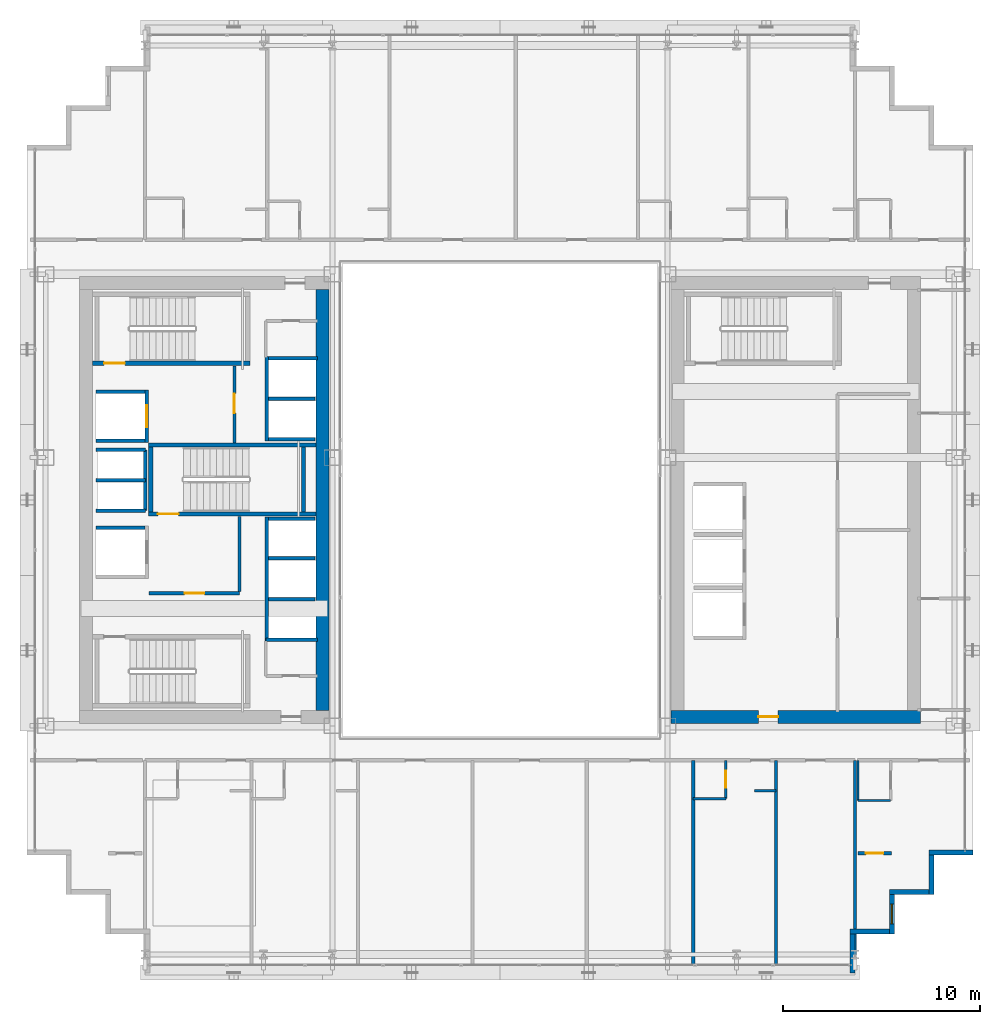
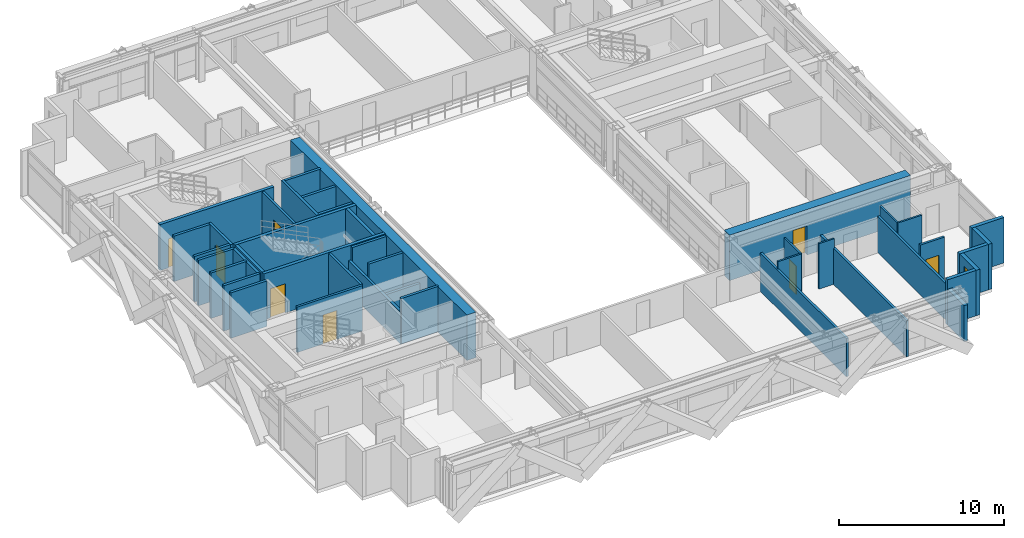
# One storey, part 32 of 39: 42 walls, 8 doors, 1 window, 9 openings.
"""IFC4 building model written with IfcOpenShell, lengths in metres."""

from ifc_helpers import new_model, si_unit, direction, frame, frame_2d, origin, place, context, subcontext, project, spatial, rectangle, extrude, source, transform, mapped, material, layer, layer_set, type_object, element, fill, save


model = new_model("IFC4")

# Units and contexts
model_context = context("Model", 3, precision=1e-05, world=origin(), true_north=direction((0.0, 1.0)))
body_context = subcontext(model_context, "Body", "Model", "MODEL_VIEW")
ifc_project = project(units=[si_unit("LENGTHUNIT", "METRE"), si_unit("AREAUNIT", "SQUARE_METRE"), si_unit("VOLUMEUNIT", "CUBIC_METRE"), si_unit("PLANEANGLEUNIT", "RADIAN"), si_unit("MASSUNIT", "GRAM", prefix="KILO")], contexts=[model_context])

# Site, building, storey
site_placement = place(None, origin())
site = spatial("IfcSite", under=ifc_project, at=site_placement, CompositionType="ELEMENT")
building_placement = place(site_placement, origin())
building = spatial("IfcBuilding", under=site, at=building_placement, Name="Ocotamira Hotel", CompositionType="ELEMENT")
storey_placement = place(building_placement, frame((0.0, 0.0, 126.0)))
storey = spatial("IfcBuildingStorey", under=building, at=storey_placement, Name="L31", CompositionType="ELEMENT", Elevation=126.0)

# Wall
ifc_material_1 = material(Name="Concrete C60/75", Category="concrete")
ifc_layer_1 = layer(ifc_material_1, 0.64990234375)
ifc_layer_set_1 = layer_set([ifc_layer_1], Name="Concrete C60/75")
wall_type_1 = type_object("IfcWallType", Name="WL-CORE-650", PredefinedType="SHEAR", material=ifc_layer_set_1)
wall_1_placement = place(storey_placement, frame((23.0, 15.324951171875, 0.0), z_axis=(0.0, 0.0, 1.0), x_axis=(0.0, 1.0, 0.0)))
element("IfcWall", 1, at=wall_1_placement, inside=storey, type_object=wall_type_1, Name="L31 Shear Core Wall WCORE-E", PredefinedType="SHEAR", context=body_context, shape_type="SweptSolid", body=[
    extrude(rectangle(XDim=21.35009765625, YDim=0.64990234375, at=frame_2d((10.675048828125, 0.0))), origin(), (0.0, 0.0, 1.0), 3.360107421875),
])

# Wall, opening, door
wall_2_placement = place(storey_placement, frame((40.675048828125, 15.0, 0.0), z_axis=(0.0, 0.0, 1.0), x_axis=(1.0, 0.0, 0.0)))
wall_2 = element("IfcWall", 2, at=wall_2_placement, inside=storey, type_object=wall_type_1, Name="L31 Shear Core Wall ECORE-S", PredefinedType="SHEAR", context=body_context, shape_type="SweptSolid", body=[
    extrude(rectangle(XDim=12.64990234375, YDim=0.64990234375, at=frame_2d((6.324951171875, 0.0))), origin(), (0.0, 0.0, 1.0), 3.360107421875),
])
opening_1_placement = place(wall_2_placement, frame((4.425048828125, 0.0, 0.0)))
opening_1 = element("IfcOpeningElement", 3, at=opening_1_placement, cuts=wall_2, Name="Opening D-FR2", PredefinedType="OPENING", context=body_context, shape_type="SweptSolid", body=[
    extrude(rectangle(XDim=1.0, YDim=2.14990234375, at=frame_2d((0.5, 1.074951171875))), frame((0.0, 0.3349609375, 0.0), z_axis=(0.0, -1.0, 0.0), x_axis=(1.0, 0.0, 0.0)), (0.0, 0.0, 1.0), 0.669921875),
])
ifc_material_2 = material(Name="Fire-rated acoustic timber-veneer door", Category="wood")
door_type_1 = type_object("IfcDoorType", Name="DR-FIRE-1000", OperationType="NOTDEFINED", PredefinedType="DOOR", material=ifc_material_2)
shared_shape_1 = source(origin(), body_context, "Body", "SweptSolid", [
    extrude(rectangle(XDim=1.0, YDim=2.14990234375, at=frame_2d((0.5, 1.074951171875))), frame((0.0, 0.02490234375, 0.0), z_axis=(0.0, -1.0, 0.0), x_axis=(1.0, 0.0, 0.0)), (0.0, 0.0, 1.0), 0.050048828125),
])
door_1_placement = place(opening_1_placement, origin())
door_1 = element("IfcDoor", 4, at=door_1_placement, inside=storey, type_object=door_type_1, Name="L31 Door ID-L31-ELOB-S-D [ID-L31-ELOB-S-D]", OperationType="SINGLE_SWING_RIGHT", OverallHeight=2.14990234375, OverallWidth=1.0, PredefinedType="DOOR", context=body_context, shape_type="MappedRepresentation", body=[
    mapped(shared_shape_1, transform((0.0, 0.0, 0.0), scale=1.0)),
])
fill(opening_1, door_1)

# Walls
ifc_material_3 = material(Name="Precast concrete C45/55", Category="concrete")
ifc_layer_2 = layer(ifc_material_3, 0.25)
ifc_layer_set_2 = layer_set([ifc_layer_2], Name="Precast concrete C45/55")
wall_type_2 = type_object("IfcWallType", Name="WL-EXT-SER-250", PredefinedType="SOLIDWALL", material=ifc_layer_set_2)
wall_3_placement = place(storey_placement, frame((49.875, 2.0, 0.0), z_axis=(0.0, 0.0, 1.0), x_axis=(0.0, 1.0, 0.0)))
element("IfcWall", 5, at=wall_3_placement, inside=storey, type_object=wall_type_2, Name="L31 Serrated Corner Wall 01", PredefinedType="SOLIDWALL", context=body_context, shape_type="SweptSolid", body=[
    extrude(rectangle(XDim=2.0, YDim=0.25, at=frame_2d((1.0, 0.0))), origin(), (0.0, 0.0, 1.0), 2.6669921875),
])
wall_4_placement = place(storey_placement, frame((49.75, 4.125, 0.0), z_axis=(0.0, 0.0, 1.0), x_axis=(1.0, 0.0, 0.0)))
element("IfcWall", 6, at=wall_4_placement, inside=storey, type_object=wall_type_2, Name="L31 Serrated Corner Wall 02", PredefinedType="SOLIDWALL", context=body_context, shape_type="SweptSolid", body=[
    extrude(rectangle(XDim=2.0, YDim=0.25, at=frame_2d((1.0, 0.0))), origin(), (0.0, 0.0, 1.0), 3.360107421875),
])

# Wall, opening, window
wall_5_placement = place(storey_placement, frame((51.875, 4.0, 0.0), z_axis=(0.0, 0.0, 1.0), x_axis=(0.0, 1.0, 0.0)))
wall_5 = element("IfcWall", 7, at=wall_5_placement, inside=storey, type_object=wall_type_2, Name="L31 Serrated Corner Wall 03", PredefinedType="SOLIDWALL", context=body_context, shape_type="SweptSolid", body=[
    extrude(rectangle(XDim=2.0, YDim=0.25, at=frame_2d((1.0, 0.0))), origin(), (0.0, 0.0, 1.0), 3.360107421875),
])
opening_2_placement = place(wall_5_placement, frame((0.5, 0.0, 0.85009765625)))
opening_2 = element("IfcOpeningElement", 8, at=opening_2_placement, cuts=wall_5, Name="Opening WN-2", PredefinedType="OPENING", context=body_context, shape_type="SweptSolid", body=[
    extrude(rectangle(XDim=1.0, YDim=1.89990234375, at=frame_2d((0.5, 0.949951171875))), frame((0.0, 0.135009765625, 0.0), z_axis=(0.0, -1.0, 0.0), x_axis=(1.0, 0.0, 0.0)), (0.0, 0.0, 1.0), 0.27001953125),
])
ifc_material_4 = material(Name="Double-silver low-E solar glass", Category="glass")
window_type = type_object("IfcWindowType", Name="WIN-SER-1100", PartitioningType="SINGLE_PANEL", PredefinedType="WINDOW", material=ifc_material_4)
shared_shape_2 = source(origin(), body_context, "Body", "SweptSolid", [
    extrude(rectangle(XDim=1.0, YDim=1.89990234375, at=frame_2d((0.5, 0.949951171875))), frame((0.0, 0.030029296875, 0.0), z_axis=(0.0, -1.0, 0.0), x_axis=(1.0, 0.0, 0.0)), (0.0, 0.0, 1.0), 0.06005859375),
])
window_placement = place(opening_2_placement, origin())
window = element("IfcWindow", 9, at=window_placement, inside=storey, type_object=window_type, Name="L31 Serrated Corner Window 03", OverallHeight=1.89990234375, OverallWidth=1.0, PartitioningType="SINGLE_PANEL", PredefinedType="WINDOW", context=body_context, shape_type="MappedRepresentation", body=[
    mapped(shared_shape_2, transform((0.0, 0.0, 0.0), scale=1.0)),
])
fill(opening_2, window)

# Walls
for number, where, z_axis, x_axis, name in (
    (10, (51.75, 6.125, 0.0), (0.0, 0.0, 1.0), (1.0, 0.0, 0.0), "L31 Serrated Corner Wall 04"),
    (11, (53.875, 6.0, 0.0), (0.0, 0.0, 1.0), (0.0, 1.0, 0.0), "L31 Serrated Corner Wall 05"),
):
    element("IfcWall", number, at=place(storey_placement, frame(where, z_axis=z_axis, x_axis=x_axis)), inside=storey, type_object=wall_type_2, Name=name, PredefinedType="SOLIDWALL", context=body_context, shape_type="SweptSolid", body=[
        extrude(rectangle(XDim=2.0, YDim=0.25, at=frame_2d((1.0, 0.0))), origin(), (0.0, 0.0, 1.0), 3.360107421875),
    ])
wall_6_placement = place(storey_placement, frame((53.75, 8.125, 0.0), z_axis=(0.0, 0.0, 1.0), x_axis=(1.0, 0.0, 0.0)))
element("IfcWall", 12, at=wall_6_placement, inside=storey, type_object=wall_type_2, Name="L31 Serrated Corner Wall 06", PredefinedType="SOLIDWALL", context=body_context, shape_type="SweptSolid", body=[
    extrude(rectangle(XDim=2.25, YDim=0.25, at=frame_2d((1.125, 0.0))), origin(), (0.0, 0.0, 1.0), 3.360107421875),
])

# Wall, opening, door
ifc_material_5 = material(Name="Acoustic double-layer fire gypsum board partition", Category="gypsum")
ifc_layer_3 = layer(ifc_material_5, 0.159912109375)
ifc_layer_set_3 = layer_set([ifc_layer_3], Name="Acoustic double-layer fire gypsum board partition")
wall_type_3 = type_object("IfcWallType", Name="WL-FIRE-160", PredefinedType="PARTITIONING", material=ifc_layer_set_3)
wall_7_placement = place(storey_placement, frame((14.199951171875, 21.27001953125, 0.0), z_axis=(0.0, 0.0, 1.0), x_axis=(1.0, 0.0, 0.0)))
wall_7 = element("IfcWall", 13, at=wall_7_placement, inside=storey, type_object=wall_type_3, Name="L31 Interior Wall PW-L31-FSAE1-S", PredefinedType="PARTITIONING", context=body_context, shape_type="SweptSolid", body=[
    extrude(rectangle(XDim=4.580078125, YDim=0.159912109375, at=frame_2d((2.2900390625, 0.0))), origin(), (0.0, 0.0, 1.0), 3.360107421875),
])
opening_3_placement = place(wall_7_placement, frame((1.800048828125, 0.0, 0.0)))
opening_3 = element("IfcOpeningElement", 14, at=opening_3_placement, cuts=wall_7, Name="Opening D-FR2", PredefinedType="OPENING", context=body_context, shape_type="SweptSolid", body=[
    extrude(rectangle(XDim=1.0, YDim=2.14990234375, at=frame_2d((0.5, 1.074951171875))), frame((0.0, 0.08984375, 0.0), z_axis=(0.0, -1.0, 0.0), x_axis=(1.0, 0.0, 0.0)), (0.0, 0.0, 1.0), 0.179931640625),
])
door_2_placement = place(opening_3_placement, origin())
door_2 = element("IfcDoor", 15, at=door_2_placement, inside=storey, type_object=door_type_1, Name="L31 Door ID-L31-FSAE1-D [ID-L31-FSAE1-D]", OperationType="SINGLE_SWING_LEFT", OverallHeight=2.14990234375, OverallWidth=1.0, PredefinedType="DOOR", context=body_context, shape_type="MappedRepresentation", body=[
    mapped(shared_shape_1, transform((0.0, 0.0, 0.0), scale=1.0)),
])
fill(opening_3, door_2)

# Wall
wall_8_placement = place(storey_placement, frame((18.780029296875, 21.35009765625, 0.0), z_axis=(0.0, 0.0, 1.0), x_axis=(0.0, 1.0, 0.0)))
element("IfcWall", 16, at=wall_8_placement, inside=storey, type_object=wall_type_3, Name="L31 Interior Wall PW-L31-FSAE1-E", PredefinedType="PARTITIONING", context=body_context, shape_type="SweptSolid", body=[
    extrude(rectangle(XDim=3.809814453125, YDim=0.159912109375, at=frame_2d((1.90478515625, 0.0))), origin(), (0.0, 0.0, 1.0), 3.360107421875),
])

# Wall, opening, door
wall_9_placement = place(storey_placement, frame((18.530029296875, 28.89990234375, 0.0), z_axis=(0.0, 0.0, 1.0), x_axis=(0.0, 1.0, 0.0)))
wall_9 = element("IfcWall", 17, at=wall_9_placement, inside=storey, type_object=wall_type_3, Name="L31 Interior Wall PW-L31-FSAE2-E", PredefinedType="PARTITIONING", context=body_context, shape_type="SweptSolid", body=[
    extrude(rectangle(XDim=3.900146484375, YDim=0.159912109375, at=frame_2d((1.9501953125, 0.0))), origin(), (0.0, 0.0, 1.0), 3.360107421875),
])
opening_4_placement = place(wall_9_placement, frame((1.5, 0.0, 0.0)))
opening_4 = element("IfcOpeningElement", 18, at=opening_4_placement, cuts=wall_9, Name="Opening D-FR2", PredefinedType="OPENING", context=body_context, shape_type="SweptSolid", body=[
    extrude(rectangle(XDim=1.0, YDim=2.14990234375, at=frame_2d((0.5, 1.074951171875))), frame((0.0, 0.08984375, 0.0), z_axis=(0.0, -1.0, 0.0), x_axis=(1.0, 0.0, 0.0)), (0.0, 0.0, 1.0), 0.179931640625),
])
door_3_placement = place(opening_4_placement, origin())
door_3 = element("IfcDoor", 19, at=door_3_placement, inside=storey, type_object=door_type_1, Name="L31 Door ID-L31-FSAE2-D [ID-L31-FSAE2-D]", OperationType="SINGLE_SWING_RIGHT", OverallHeight=2.14990234375, OverallWidth=1.0, PredefinedType="DOOR", context=body_context, shape_type="MappedRepresentation", body=[
    mapped(shared_shape_1, transform((0.0, 0.0, 0.0), scale=1.0)),
])
fill(opening_4, door_3)

wall_10_placement = place(storey_placement, frame((50.14990234375, 8.080078125, 0.0), z_axis=(0.0, 0.0, 1.0), x_axis=(1.0, 0.0, 0.0)))
wall_10 = element("IfcWall", 20, at=wall_10_placement, inside=storey, type_object=wall_type_3, Name="L31 Interior Wall PW-L31-Z2C-CSE2-CW", PredefinedType="PARTITIONING", context=body_context, shape_type="SweptSolid", body=[
    extrude(rectangle(XDim=1.7001953125, YDim=0.159912109375, at=frame_2d((0.85009765625, 0.0))), origin(), (0.0, 0.0, 1.0), 3.360107421875),
])
opening_5_placement = place(wall_10_placement, frame((0.409912109375, 0.0, 0.0)))
opening_5 = element("IfcOpeningElement", 21, at=opening_5_placement, cuts=wall_10, Name="Opening D-SV2", PredefinedType="OPENING", context=body_context, shape_type="SweptSolid", body=[
    extrude(rectangle(XDim=0.8798828125, YDim=2.14990234375, at=frame_2d((0.43994140625, 1.074951171875))), frame((0.0, 0.08984375, 0.0), z_axis=(0.0, -1.0, 0.0), x_axis=(1.0, 0.0, 0.0)), (0.0, 0.0, 1.0), 0.179931640625),
])
ifc_material_6 = material(Name="Fire-rated painted steel service door", Category="steel")
door_type_2 = type_object("IfcDoorType", Name="DR-SERV-880", OperationType="NOTDEFINED", PredefinedType="DOOR", material=ifc_material_6)
shared_shape_3 = source(origin(), body_context, "Body", "SweptSolid", [
    extrude(rectangle(XDim=0.8798828125, YDim=2.14990234375, at=frame_2d((0.43994140625, 1.074951171875))), frame((0.0, 0.02490234375, 0.0), z_axis=(0.0, -1.0, 0.0), x_axis=(1.0, 0.0, 0.0)), (0.0, 0.0, 1.0), 0.050048828125),
])
door_4_placement = place(opening_5_placement, origin())
door_4 = element("IfcDoor", 22, at=door_4_placement, inside=storey, type_object=door_type_2, Name="L31 Door ID-L31-Z2C-CSE2-CD [ID-L31-Z2C-CSE2-CD]", OperationType="SINGLE_SWING_LEFT", OverallHeight=2.14990234375, OverallWidth=0.8798828125, PredefinedType="DOOR", context=body_context, shape_type="MappedRepresentation", body=[
    mapped(shared_shape_3, transform((0.0, 0.0, 0.0), scale=1.0)),
])
fill(opening_5, door_4)

# Walls
ifc_material_7 = material(Name="Moisture-resistant en-suite tile and gypsum partition", Category="gypsum")
ifc_layer_4 = layer(ifc_material_7, 0.1201171875)
ifc_layer_set_4 = layer_set([ifc_layer_4], Name="Moisture-resistant en-suite tile and gypsum partition")
wall_type_4 = type_object("IfcWallType", Name="WL-PART-120", PredefinedType="PARTITIONING", material=ifc_layer_set_4)
wall_11_placement = place(storey_placement, frame((50.159912109375, 10.760009765625, 0.0), z_axis=(0.0, 0.0, 1.0), x_axis=(0.0, 1.0, 0.0)))
element("IfcWall", 23, at=wall_11_placement, inside=storey, type_object=wall_type_4, Name="L31 Interior Wall PW-L31-Z2C-CSE-BW", PredefinedType="PARTITIONING", context=body_context, shape_type="SweptSolid", body=[
    extrude(rectangle(XDim=2.0400390625, YDim=0.1201171875, at=frame_2d((1.02001953125, 0.0))), origin(), (0.0, 0.0, 1.0), 3.360107421875),
])
wall_12_placement = place(storey_placement, frame((50.159912109375, 10.760009765625, 0.0), z_axis=(0.0, 0.0, 1.0), x_axis=(1.0, 0.0, 0.0)))
element("IfcWall", 24, at=wall_12_placement, inside=storey, type_object=wall_type_4, Name="L31 Interior Wall PW-L31-Z2C-CSE-BH", PredefinedType="PARTITIONING", context=body_context, shape_type="SweptSolid", body=[
    extrude(rectangle(XDim=1.650146484375, YDim=0.1201171875, at=frame_2d((0.8251953125, 0.0))), origin(), (0.0, 0.0, 1.0), 3.360107421875),
])

# Wall, opening, door
wall_13_placement = place(storey_placement, frame((43.449951171875, 10.85009765625, 0.0), z_axis=(0.0, 0.0, 1.0), x_axis=(0.0, 1.0, 0.0)))
wall_13 = element("IfcWall", 25, at=wall_13_placement, inside=storey, type_object=wall_type_4, Name="L31 Interior Wall PW-L31-Z2CS-BAE6", PredefinedType="PARTITIONING", context=body_context, shape_type="SweptSolid", body=[
    extrude(rectangle(XDim=1.949951171875, YDim=0.1201171875, at=frame_2d((0.97509765625, 0.0))), origin(), (0.0, 0.0, 1.0), 3.360107421875),
])
opening_6_placement = place(wall_13_placement, frame((0.544921875, 0.0, 0.0)))
opening_6 = element("IfcOpeningElement", 26, at=opening_6_placement, cuts=wall_13, Name="Opening D-BA1", PredefinedType="OPENING", context=body_context, shape_type="SweptSolid", body=[
    extrude(rectangle(XDim=0.860107421875, YDim=2.10009765625, at=frame_2d((0.43017578125, 1.050048828125))), frame((0.0, 0.070068359375, 0.0), z_axis=(0.0, -1.0, 0.0), x_axis=(1.0, 0.0, 0.0)), (0.0, 0.0, 1.0), 0.14013671875),
])
ifc_material_8 = material(Name="Moisture-sealed en-suite timber door", Category="wood")
door_type_3 = type_object("IfcDoorType", Name="DR-BATH-860", OperationType="NOTDEFINED", PredefinedType="DOOR", material=ifc_material_8)
shared_shape_4 = source(origin(), body_context, "Body", "SweptSolid", [
    extrude(rectangle(XDim=0.860107421875, YDim=2.10009765625, at=frame_2d((0.43017578125, 1.050048828125))), frame((0.0, 0.02490234375, 0.0), z_axis=(0.0, -1.0, 0.0), x_axis=(1.0, 0.0, 0.0)), (0.0, 0.0, 1.0), 0.050048828125),
])
door_5_placement = place(opening_6_placement, origin())
door_5 = element("IfcDoor", 27, at=door_5_placement, inside=storey, type_object=door_type_3, Name="L31 Door ID-L31-Z2CS-BAD6 [ID-L31-Z2CS-BAD6]", OperationType="SINGLE_SWING_LEFT", OverallHeight=2.10009765625, OverallWidth=0.860107421875, PredefinedType="DOOR", context=body_context, shape_type="MappedRepresentation", body=[
    mapped(shared_shape_4, transform((0.0, 0.0, 0.0), scale=1.0)),
])
fill(opening_6, door_5)

# Walls
wall_14_placement = place(storey_placement, frame((41.800048828125, 10.85009765625, 0.0), z_axis=(0.0, 0.0, 1.0), x_axis=(1.0, 0.0, 0.0)))
element("IfcWall", 28, at=wall_14_placement, inside=storey, type_object=wall_type_4, Name="L31 Interior Wall PW-L31-Z2CS-BAS6", PredefinedType="PARTITIONING", context=body_context, shape_type="SweptSolid", body=[
    extrude(rectangle(XDim=1.64990234375, YDim=0.1201171875, at=frame_2d((0.824951171875, 0.0))), origin(), (0.0, 0.0, 1.0), 3.360107421875),
])
wall_15_placement = place(storey_placement, frame((44.89990234375, 11.25, 0.0), z_axis=(0.0, 0.0, 1.0), x_axis=(1.0, 0.0, 0.0)))
element("IfcWall", 29, at=wall_15_placement, inside=storey, type_object=wall_type_4, Name="L31 Interior Wall PW-L31-Z2CS-DRN6", PredefinedType="PARTITIONING", context=body_context, shape_type="SweptSolid", body=[
    extrude(rectangle(XDim=1.10009765625, YDim=0.1201171875, at=frame_2d((0.550048828125, 0.0))), origin(), (0.0, 0.0, 1.0), 3.360107421875),
])
ifc_material_9 = material(Name="Acoustic double-stud hospitality gypsum partition", Category="gypsum")
ifc_layer_5 = layer(ifc_material_9, 0.159912109375)
ifc_layer_set_5 = layer_set([ifc_layer_5], Name="Acoustic double-stud hospitality gypsum partition")
wall_type_5 = type_object("IfcWallType", Name="WL-PART-160", PredefinedType="PARTITIONING", material=ifc_layer_set_5)
wall_16_placement = place(storey_placement, frame((50.0, 2.360107421875, 0.0), z_axis=(0.0, 0.0, 1.0), x_axis=(0.0, 1.0, 0.0)))
element("IfcWall", 30, at=wall_16_placement, inside=storey, type_object=wall_type_5, Name="L31 Interior Wall PW-L31-Z2CS-PWEND", PredefinedType="PARTITIONING", context=body_context, shape_type="SweptSolid", body=[
    extrude(rectangle(XDim=10.43994140625, YDim=0.159912109375, at=frame_2d((5.219970703125, 0.0))), origin(), (0.0, 0.0, 1.0), 2.6669921875),
])
wall_17_placement = place(storey_placement, frame((41.800048828125, 2.360107421875, 0.0), z_axis=(0.0, 0.0, 1.0), x_axis=(0.0, 1.0, 0.0)))
element("IfcWall", 31, at=wall_17_placement, inside=storey, type_object=wall_type_5, Name="L31 Interior Wall PW-L31-Z2CS-PW5", PredefinedType="PARTITIONING", context=body_context, shape_type="SweptSolid", body=[
    extrude(rectangle(XDim=10.43994140625, YDim=0.159912109375, at=frame_2d((5.219970703125, 0.0))), origin(), (0.0, 0.0, 1.0), 2.822998046875),
])
wall_18_placement = place(storey_placement, frame((46.0, 2.360107421875, 0.0), z_axis=(0.0, 0.0, 1.0), x_axis=(0.0, 1.0, 0.0)))
element("IfcWall", 32, at=wall_18_placement, inside=storey, type_object=wall_type_5, Name="L31 Interior Wall PW-L31-Z2CS-PW6", PredefinedType="PARTITIONING", context=body_context, shape_type="SweptSolid", body=[
    extrude(rectangle(XDim=10.43994140625, YDim=0.159912109375, at=frame_2d((5.219970703125, 0.0))), origin(), (0.0, 0.0, 1.0), 2.6669921875),
])
ifc_material_10 = material(Name="Fire-rated gypsum shaftliner board assembly", Category="gypsum")
ifc_layer_6 = layer(ifc_material_10, 0.179931640625)
ifc_layer_set_6 = layer_set([ifc_layer_6], Name="Fire-rated gypsum shaftliner board assembly")
wall_type_6 = type_object("IfcWallType", Name="WL-SHAFT-180", PredefinedType="SOLIDWALL", material=ifc_layer_set_6)
wall_19_placement = place(storey_placement, frame((20.159912109375, 18.820068359375, 0.0), z_axis=(0.0, 0.0, 1.0), x_axis=(0.0, 1.0, 0.0)))
element("IfcWall", 33, at=wall_19_placement, inside=storey, type_object=wall_type_6, Name="L31 Interior Wall PW-L31-LFW-BANK-high-F", PredefinedType="SOLIDWALL", context=body_context, shape_type="SweptSolid", body=[
    extrude(rectangle(XDim=6.31982421875, YDim=0.179931640625, at=frame_2d((3.159912109375, 0.0))), origin(), (0.0, 0.0, 1.0), 2.360107421875),
])
wall_20_placement = place(storey_placement, frame((20.1201171875, 18.909912109375, 0.0), z_axis=(0.0, 0.0, 1.0), x_axis=(1.0, 0.0, 0.0)))
element("IfcWall", 34, at=wall_20_placement, inside=storey, type_object=wall_type_6, Name="L31 Interior Wall PW-L31-LFW-BANK-high-S", PredefinedType="SOLIDWALL", context=body_context, shape_type="SweptSolid", body=[
    extrude(rectangle(XDim=2.6298828125, YDim=0.179931640625, at=frame_2d((1.31494140625, 0.0))), origin(), (0.0, 0.0, 1.0), 3.360107421875),
])
wall_21_placement = place(storey_placement, frame((20.25, 25.050048828125, 0.0), z_axis=(0.0, 0.0, 1.0), x_axis=(1.0, 0.0, 0.0)))
element("IfcWall", 35, at=wall_21_placement, inside=storey, type_object=wall_type_6, Name="L31 Interior Wall PW-L31-LFW-BANK-high-N", PredefinedType="SOLIDWALL", context=body_context, shape_type="SweptSolid", body=[
    extrude(rectangle(XDim=2.360107421875, YDim=0.179931640625, at=frame_2d((1.18017578125, 0.0))), origin(), (0.0, 0.0, 1.0), 3.360107421875),
])
wall_22_placement = place(storey_placement, frame((20.25, 20.965087890625, 0.0), z_axis=(0.0, 0.0, 1.0), x_axis=(1.0, 0.0, 0.0)))
element("IfcWall", 36, at=wall_22_placement, inside=storey, type_object=wall_type_6, Name="L31 Interior Wall PW-L31-LFW-DIV-LF-P7", PredefinedType="SOLIDWALL", context=body_context, shape_type="SweptSolid", body=[
    extrude(rectangle(XDim=2.360107421875, YDim=0.179931640625, at=frame_2d((1.18017578125, 0.0))), origin(), (0.0, 0.0, 1.0), 2.360107421875),
])
wall_23_placement = place(storey_placement, frame((20.25, 23.044921875, 0.0), z_axis=(0.0, 0.0, 1.0), x_axis=(1.0, 0.0, 0.0)))
element("IfcWall", 37, at=wall_23_placement, inside=storey, type_object=wall_type_6, Name="L31 Interior Wall PW-L31-LFW-DIV-LF-P8", PredefinedType="SOLIDWALL", context=body_context, shape_type="SweptSolid", body=[
    extrude(rectangle(XDim=2.360107421875, YDim=0.179931640625, at=frame_2d((1.18017578125, 0.0))), origin(), (0.0, 0.0, 1.0), 3.360107421875),
])
wall_24_placement = place(storey_placement, frame((20.159912109375, 29.0, 0.0), z_axis=(0.0, 0.0, 1.0), x_axis=(0.0, 1.0, 0.0)))
element("IfcWall", 38, at=wall_24_placement, inside=storey, type_object=wall_type_6, Name="L31 Interior Wall PW-L31-LFW-BANK-obs-F", PredefinedType="SOLIDWALL", context=body_context, shape_type="SweptSolid", body=[
    extrude(rectangle(XDim=4.2900390625, YDim=0.179931640625, at=frame_2d((2.14501953125, 0.0))), origin(), (0.0, 0.0, 1.0), 3.360107421875),
])
wall_25_placement = place(storey_placement, frame((20.25, 29.090087890625, 0.0), z_axis=(0.0, 0.0, 1.0), x_axis=(1.0, 0.0, 0.0)))
element("IfcWall", 39, at=wall_25_placement, inside=storey, type_object=wall_type_6, Name="L31 Interior Wall PW-L31-LFW-BANK-obs-S", PredefinedType="SOLIDWALL", context=body_context, shape_type="SweptSolid", body=[
    extrude(rectangle(XDim=2.360107421875, YDim=0.179931640625, at=frame_2d((1.18017578125, 0.0))), origin(), (0.0, 0.0, 1.0), 3.360107421875),
])
wall_26_placement = place(storey_placement, frame((20.25, 33.199951171875, 0.0), z_axis=(0.0, 0.0, 1.0), x_axis=(1.0, 0.0, 0.0)))
element("IfcWall", 40, at=wall_26_placement, inside=storey, type_object=wall_type_6, Name="L31 Interior Wall PW-L31-LFW-BANK-obs-N", PredefinedType="SOLIDWALL", context=body_context, shape_type="SweptSolid", body=[
    extrude(rectangle(XDim=2.5, YDim=0.179931640625, at=frame_2d((1.25, 0.0))), origin(), (0.0, 0.0, 1.0), 3.360107421875),
])
wall_27_placement = place(storey_placement, frame((20.25, 31.14501953125, 0.0), z_axis=(0.0, 0.0, 1.0), x_axis=(1.0, 0.0, 0.0)))
element("IfcWall", 41, at=wall_27_placement, inside=storey, type_object=wall_type_6, Name="L31 Interior Wall PW-L31-LFW-DIV-LF-OBS1", PredefinedType="SOLIDWALL", context=body_context, shape_type="SweptSolid", body=[
    extrude(rectangle(XDim=2.360107421875, YDim=0.179931640625, at=frame_2d((1.18017578125, 0.0))), origin(), (0.0, 0.0, 1.0), 3.360107421875),
])
for number, where, z_axis, x_axis, name in (
    (42, (11.5, 24.590087890625, 0.0), (0.0, 0.0, 1.0), (1.0, 0.0, 0.0), "L31 Interior Wall PW-L31-LFW-LF-FSAE1-N"),
    (43, (11.5, 29.010009765625, 0.0), (0.0, 0.0, 1.0), (1.0, 0.0, 0.0), "L31 Interior Wall PW-L31-LFW-LF-FSAE2-S"),
    (44, (11.5, 31.489990234375, 0.0), (0.0, 0.0, 1.0), (1.0, 0.0, 0.0), "L31 Interior Wall PW-L31-LFW-LF-FSAE2-N"),
):
    element("IfcWall", number, at=place(storey_placement, frame(where, z_axis=z_axis, x_axis=x_axis)), inside=storey, type_object=wall_type_6, Name=name, PredefinedType="SOLIDWALL", context=body_context, shape_type="SweptSolid", body=[
        extrude(rectangle(XDim=2.5, YDim=0.179931640625, at=frame_2d((1.25, 0.0))), origin(), (0.0, 0.0, 1.0), 3.360107421875),
    ])

# Wall, opening, door
wall_28_placement = place(storey_placement, frame((14.090087890625, 28.919921875, 0.0), z_axis=(0.0, 0.0, 1.0), x_axis=(0.0, 1.0, 0.0)))
wall_28 = element("IfcWall", 45, at=wall_28_placement, inside=storey, type_object=wall_type_6, Name="L31 Interior Wall PW-L31-LFW-LF-FSAE2-E", PredefinedType="SOLIDWALL", context=body_context, shape_type="SweptSolid", body=[
    extrude(rectangle(XDim=2.66015625, YDim=0.179931640625, at=frame_2d((1.330078125, 0.0))), origin(), (0.0, 0.0, 1.0), 3.360107421875),
])
opening_7_placement = place(wall_28_placement, frame((0.780029296875, 0.0, 0.0)))
opening_7 = element("IfcOpeningElement", 46, at=opening_7_placement, cuts=wall_28, Name="Opening LD-LF-FSAE2", PredefinedType="OPENING", context=body_context, shape_type="SweptSolid", body=[
    extrude(rectangle(XDim=1.10009765625, YDim=2.199951171875, at=frame_2d((0.550048828125, 1.10009765625))), frame((0.0, 0.10009765625, 0.0), z_axis=(0.0, -1.0, 0.0), x_axis=(1.0, 0.0, 0.0)), (0.0, 0.0, 1.0), 0.199951171875),
])
ifc_material_11 = material(Name="Brushed pale-metal stainless elevator landing door", Category="steel")
door_type_4 = type_object("IfcDoorType", Name="DR-LIFT-1100", OperationType="NOTDEFINED", PredefinedType="DOOR", material=ifc_material_11)
shared_shape_5 = source(origin(), body_context, "Body", "SweptSolid", [
    extrude(rectangle(XDim=1.10009765625, YDim=2.199951171875, at=frame_2d((0.550048828125, 1.10009765625))), frame((0.0, 0.02490234375, 0.0), z_axis=(0.0, -1.0, 0.0), x_axis=(1.0, 0.0, 0.0)), (0.0, 0.0, 1.0), 0.050048828125),
])
door_6_placement = place(opening_7_placement, origin())
door_6 = element("IfcDoor", 47, at=door_6_placement, inside=storey, type_object=door_type_4, Name="L31 Landing Door LD-LF-FSAE2 [ID-L31-LD-LF-FSAE2]", OperationType="DOUBLE_DOOR_SLIDING", OverallHeight=2.199951171875, OverallWidth=1.10009765625, PredefinedType="DOOR", context=body_context, shape_type="MappedRepresentation", body=[
    mapped(shared_shape_5, transform((0.0, 0.0, 0.0), scale=1.0)),
])
fill(opening_7, door_6)

# Walls
for number, where, z_axis, x_axis, name in (
    (48, (11.5, 25.4599609375, 0.0), (0.0, 0.0, 1.0), (1.0, 0.0, 0.0), "L31 Interior Wall PW-L31-RSW-S"),
    (49, (11.5, 27.0, 0.0), (0.0, 0.0, 1.0), (1.0, 0.0, 0.0), "L31 Interior Wall PW-L31-RSW-MID"),
    (50, (11.5, 28.5400390625, 0.0), (0.0, 0.0, 1.0), (1.0, 0.0, 0.0), "L31 Interior Wall PW-L31-RSW-N"),
):
    element("IfcWall", number, at=place(storey_placement, frame(where, z_axis=z_axis, x_axis=x_axis)), inside=storey, type_object=wall_type_6, Name=name, PredefinedType="SOLIDWALL", context=body_context, shape_type="SweptSolid", body=[
        extrude(rectangle(XDim=2.510009765625, YDim=0.179931640625, at=frame_2d((1.2548828125, 0.0))), origin(), (0.0, 0.0, 1.0), 3.360107421875),
    ])
wall_29_placement = place(storey_placement, frame((14.010009765625, 25.4599609375, 0.0), z_axis=(0.0, 0.0, 1.0), x_axis=(0.0, 1.0, 0.0)))
element("IfcWall", 51, at=wall_29_placement, inside=storey, type_object=wall_type_6, Name="L31 Interior Wall PW-L31-RSW-E", PredefinedType="SOLIDWALL", context=body_context, shape_type="SweptSolid", body=[
    extrude(rectangle(XDim=3.080078125, YDim=0.179931640625, at=frame_2d((1.5400390625, 0.0))), origin(), (0.0, 0.0, 1.0), 3.360107421875),
])

# Wall, opening, door
ifc_material_12 = material(Name="Concrete C50/60", Category="concrete")
ifc_layer_7 = layer(ifc_material_12, 0.219970703125)
ifc_layer_set_7 = layer_set([ifc_layer_7], Name="Concrete C50/60")
wall_type_7 = type_object("IfcWallType", Name="WL-STAIR-220", PredefinedType="SHEAR", material=ifc_layer_set_7)
wall_30_placement = place(storey_placement, frame((11.324951171875, 32.93994140625, 0.0), z_axis=(0.0, 0.0, 1.0), x_axis=(1.0, 0.0, 0.0)))
wall_30 = element("IfcWall", 52, at=wall_30_placement, inside=storey, type_object=wall_type_7, Name="L31 Stair Shaft Structural Wall ST-2-S", PredefinedType="SHEAR", context=body_context, shape_type="SweptSolid", body=[
    extrude(rectangle(XDim=7.985107421875, YDim=0.219970703125, at=frame_2d((3.99267578125, 0.0))), origin(), (0.0, 0.0, 1.0), 3.39990234375),
])
opening_8_placement = place(wall_30_placement, frame((0.594970703125, 0.0, 0.0)))
opening_8 = element("IfcOpeningElement", 53, at=opening_8_placement, cuts=wall_30, Name="Opening D-ST2", PredefinedType="OPENING", context=body_context, shape_type="SweptSolid", body=[
    extrude(rectangle(XDim=1.050048828125, YDim=2.14990234375, at=frame_2d((0.52490234375, 1.074951171875))), frame((0.0, 0.1201171875, 0.0), z_axis=(0.0, -1.0, 0.0), x_axis=(1.0, 0.0, 0.0)), (0.0, 0.0, 1.0), 0.239990234375),
])
ifc_material_13 = material(Name="Insulated painted hollow-metal fire exit door", Category="steel")
door_type_5 = type_object("IfcDoorType", Name="DR-STAIR-1050", OperationType="NOTDEFINED", PredefinedType="DOOR", material=ifc_material_13)
shared_shape_6 = source(origin(), body_context, "Body", "SweptSolid", [
    extrude(rectangle(XDim=1.050048828125, YDim=2.14990234375, at=frame_2d((0.52490234375, 1.074951171875))), frame((0.0, 0.02490234375, 0.0), z_axis=(0.0, -1.0, 0.0), x_axis=(1.0, 0.0, 0.0)), (0.0, 0.0, 1.0), 0.050048828125),
])
door_7_placement = place(opening_8_placement, origin())
door_7 = element("IfcDoor", 54, at=door_7_placement, inside=storey, type_object=door_type_5, Name="L31 Door ID-L31-STD-ST-2 [ID-L31-STD-ST-2]", OperationType="SINGLE_SWING_LEFT", OverallHeight=2.14990234375, OverallWidth=1.050048828125, PredefinedType="DOOR", context=body_context, shape_type="MappedRepresentation", body=[
    mapped(shared_shape_6, transform((0.0, 0.0, 0.0), scale=1.0)),
])
fill(opening_8, door_7)

wall_31_placement = place(storey_placement, frame((14.179931640625, 25.2900390625, 0.0), z_axis=(0.0, 0.0, 1.0), x_axis=(1.0, 0.0, 0.0)))
wall_31 = element("IfcWall", 55, at=wall_31_placement, inside=storey, type_object=wall_type_7, Name="L31 Stair Shaft Structural Wall ST-3-S", PredefinedType="SHEAR", context=body_context, shape_type="SweptSolid", body=[
    extrude(rectangle(XDim=8.4951171875, YDim=0.219970703125, at=frame_2d((4.24755859375, 0.0))), origin(), (0.0, 0.0, 1.0), 3.39990234375),
])
opening_9_placement = place(wall_31_placement, frame((0.469970703125, 0.0, 0.0)))
opening_9 = element("IfcOpeningElement", 56, at=opening_9_placement, cuts=wall_31, Name="Opening D-ST2", PredefinedType="OPENING", context=body_context, shape_type="SweptSolid", body=[
    extrude(rectangle(XDim=1.050048828125, YDim=2.14990234375, at=frame_2d((0.52490234375, 1.074951171875))), frame((0.0, 0.1201171875, 0.0), z_axis=(0.0, -1.0, 0.0), x_axis=(1.0, 0.0, 0.0)), (0.0, 0.0, 1.0), 0.239990234375),
])
door_8_placement = place(opening_9_placement, origin())
door_8 = element("IfcDoor", 57, at=door_8_placement, inside=storey, type_object=door_type_5, Name="L31 Door ID-L31-STD-ST-3 [ID-L31-STD-ST-3]", OperationType="SINGLE_SWING_RIGHT", OverallHeight=2.14990234375, OverallWidth=1.050048828125, PredefinedType="DOOR", context=body_context, shape_type="MappedRepresentation", body=[
    mapped(shared_shape_6, transform((0.0, 0.0, 0.0), scale=1.0)),
])
fill(opening_9, door_8)

# Walls
wall_32_placement = place(storey_placement, frame((14.179931640625, 28.7900390625, 0.0), z_axis=(0.0, 0.0, 1.0), x_axis=(1.0, 0.0, 0.0)))
element("IfcWall", 58, at=wall_32_placement, inside=storey, type_object=wall_type_7, Name="L31 Stair Shaft Structural Wall ST-3-N", PredefinedType="SHEAR", context=body_context, shape_type="SweptSolid", body=[
    extrude(rectangle(XDim=8.4951171875, YDim=0.219970703125, at=frame_2d((4.24755859375, 0.0))), origin(), (0.0, 0.0, 1.0), 3.39990234375),
])
for number, where, z_axis, x_axis, name in (
    (59, (14.2900390625, 25.39990234375, 0.0), (0.0, 0.0, 1.0), (0.0, 1.0, 0.0), "L31 Stair Shaft Structural Wall ST-3-W"),
    (60, (22.030029296875, 25.39990234375, 0.0), (0.0, 0.0, 1.0), (0.0, 1.0, 0.0), "L31 Stair Shaft Structural Wall ST-3-E"),
):
    element("IfcWall", number, at=place(storey_placement, frame(where, z_axis=z_axis, x_axis=x_axis)), inside=storey, type_object=wall_type_7, Name=name, PredefinedType="SHEAR", context=body_context, shape_type="SweptSolid", body=[
        extrude(rectangle(XDim=3.280029296875, YDim=0.219970703125, at=frame_2d((1.64013671875, 0.0))), origin(), (0.0, 0.0, 1.0), 3.39990234375),
    ])

save(model, "model.ifc")
